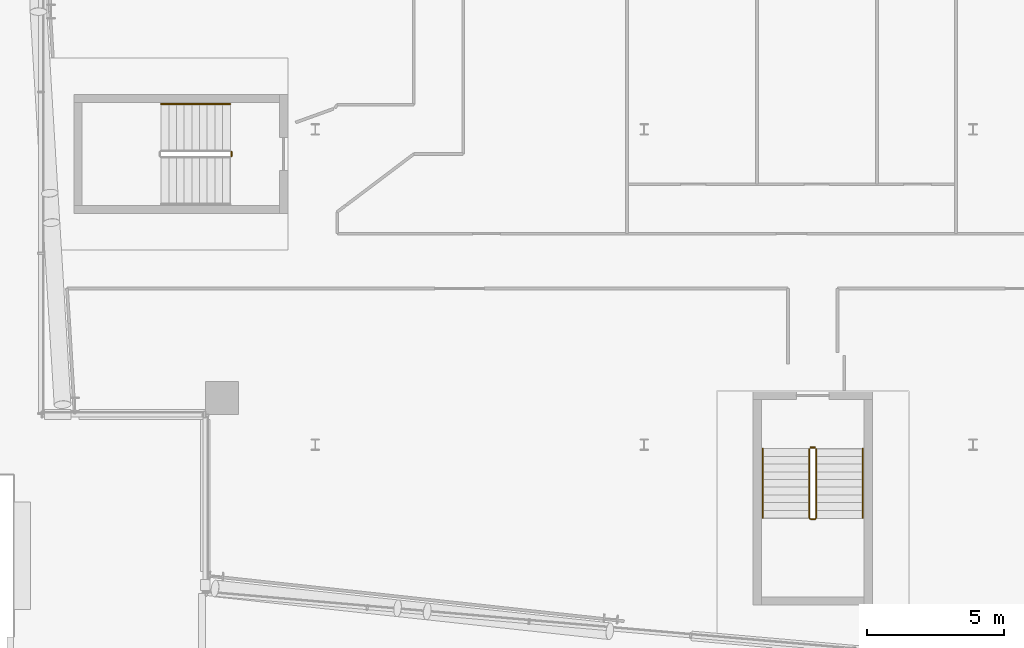
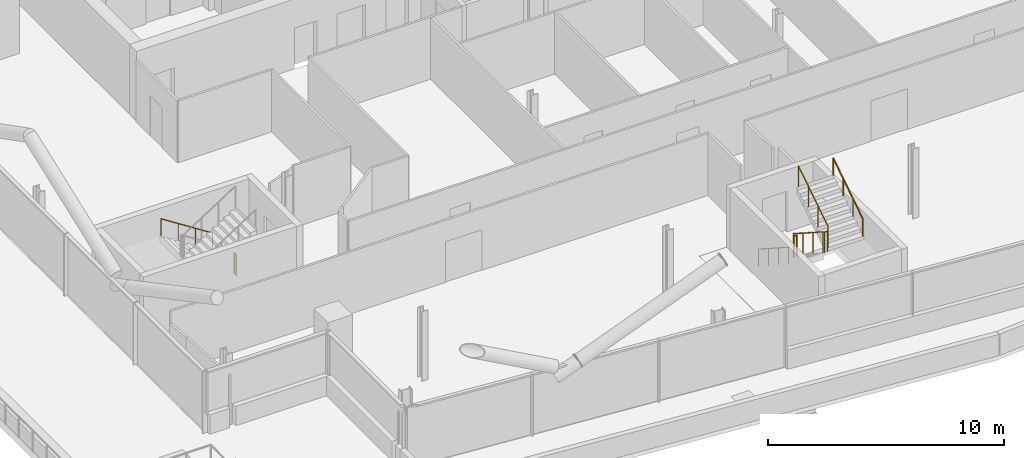
# One storey, part 25 of 27: 6 railings.
"""IFC4 building model written with IfcOpenShell, lengths in metres."""

from ifc_helpers import new_model, si_unit, direction, frame, origin, origin_2d, place, context, subcontext, project, spatial, circle, extrude, material, type_object, element, save


model = new_model("IFC4")

# Units and contexts
model_context = context("Model", 3, precision=1e-05, world=origin(), true_north=direction((0.0, 1.0)))
body_context = subcontext(model_context, "Body", "Model", "MODEL_VIEW")
ifc_project = project(units=[si_unit("LENGTHUNIT", "METRE"), si_unit("AREAUNIT", "SQUARE_METRE"), si_unit("VOLUMEUNIT", "CUBIC_METRE"), si_unit("PLANEANGLEUNIT", "RADIAN"), si_unit("MASSUNIT", "GRAM", prefix="KILO")], contexts=[model_context])

# Site, building, storey
site_placement = place(None, origin())
site = spatial("IfcSite", under=ifc_project, at=site_placement, CompositionType="ELEMENT")
building_placement = place(site_placement, origin())
building = spatial("IfcBuilding", under=site, at=building_placement, Name="Wharfspan Tower", CompositionType="ELEMENT")
storey_placement = place(building_placement, frame((0.0, 0.0, 207.100098)))
storey = spatial("IfcBuildingStorey", under=building, at=storey_placement, Name="L51", CompositionType="ELEMENT", Elevation=207.100098)

# Railings
ifc_material = material(Name="Steel S355J2", Category="steel")
railing_type_1 = type_object("IfcRailingType", Name="Stair guard 1100", PredefinedType="GUARDRAIL", material=ifc_material)
railing_1_placement = place(storey_placement, frame((20.949951, 22.175049, 0.0)))
element("IfcRailing", 1, at=railing_1_placement, inside=storey, type_object=railing_type_1, Name="L51 ST3 stair guard 2", PredefinedType="GUARDRAIL", context=body_context, shape_type="SweptSolid", body=[
    extrude(circle(Radius=0.023926, at=origin_2d()), frame((0.0, 0.0, 1.076172), z_axis=(0.0, -1.0, 0.0), x_axis=(1.0, 0.0, 0.0)), (0.0, 0.0, 1.0), 0.150146),
    extrude(circle(Radius=0.020996, at=origin_2d()), origin(), (0.0, 0.0, 1.0), 1.052002),
    extrude(circle(Radius=0.020996, at=origin_2d()), frame((0.0, -0.150146, 0.0)), (0.0, 0.0, 1.0), 1.052002),
])
railing_2_placement = place(storey_placement, frame((42.0271, 11.343262, 0.179932)))
element("IfcRailing", 2, at=railing_2_placement, inside=storey, type_object=railing_type_1, Name="L51 ST4 stair guard 1", PredefinedType="GUARDRAIL", context=body_context, shape_type="SweptSolid", body=[
    extrude(circle(Radius=0.023926, at=origin_2d()), frame((0.0, 0.0, 1.076172), z_axis=(0.0, -0.8412, 0.540725), x_axis=(1.0, 0.0, 0.0)), (0.0, 0.0, 1.0), 2.99585),
    extrude(circle(Radius=0.023926, at=origin_2d()), frame((0.0, -2.52002, 2.695801), z_axis=(0.707107, -0.707107, 0.0), x_axis=(0.707107, 0.707107, 0.0)), (0.0, 0.0, 1.0), 0.070801),
    extrude(circle(Radius=0.023926, at=origin_2d()), frame((0.050049, -2.570068, 2.695801), z_axis=(1.0, 0.0, 0.0), x_axis=(0.0, 1.0, 0.0)), (0.0, 0.0, 1.0), 0.149902),
    extrude(circle(Radius=0.023926, at=origin_2d()), frame((0.199951, -2.570068, 2.695801), z_axis=(0.258544, 0.258544, 0.930758), x_axis=(-0.707107, 0.707107, 0.0)), (0.0, 0.0, 1.0), 0.193604),
    extrude(circle(Radius=0.023926, at=origin_2d()), frame((0.25, -2.52002, 2.875977), z_axis=(0.0, 0.8412, 0.540725), x_axis=(-1.0, 0.0, 0.0)), (0.0, 0.0, 1.0), 2.99585),
    extrude(circle(Radius=0.020996, at=origin_2d()), origin(), (0.0, 0.0, 1.0), 1.052002),
    extrude(circle(Radius=0.020996, at=origin_2d()), frame((0.0, -0.840088, 0.540039)), (0.0, 0.0, 1.0), 1.052002),
    extrude(circle(Radius=0.020996, at=origin_2d()), frame((0.0, -1.679932, 1.079834)), (0.0, 0.0, 1.0), 1.052002),
    extrude(circle(Radius=0.020996, at=origin_2d()), frame((0.0, -2.52002, 1.619873)), (0.0, 0.0, 1.0), 1.052002),
    extrude(circle(Radius=0.020996, at=origin_2d()), frame((0.050049, -2.570068, 1.619873)), (0.0, 0.0, 1.0), 1.052002),
    extrude(circle(Radius=0.020996, at=origin_2d()), frame((0.199951, -2.570068, 1.619873)), (0.0, 0.0, 1.0), 1.052002),
    extrude(circle(Radius=0.020996, at=origin_2d()), frame((0.25, -2.52002, 1.800049)), (0.0, 0.0, 1.0), 1.052002),
    extrude(circle(Radius=0.020996, at=origin_2d()), frame((0.25, -1.679932, 2.340088)), (0.0, 0.0, 1.0), 1.052002),
    extrude(circle(Radius=0.020996, at=origin_2d()), frame((0.25, -0.840088, 2.879883)), (0.0, 0.0, 1.0), 1.052002),
    extrude(circle(Radius=0.020996, at=origin_2d()), frame((0.25, 0.0, 3.419922)), (0.0, 0.0, 1.0), 1.052002),
])
railing_3_placement = place(storey_placement, frame((42.077148, 11.393311, 0.0)))
element("IfcRailing", 3, at=railing_3_placement, inside=storey, type_object=railing_type_1, Name="L51 ST4 stair guard 2", PredefinedType="GUARDRAIL", context=body_context, shape_type="SweptSolid", body=[
    extrude(circle(Radius=0.023926, at=origin_2d()), frame((0.0, 0.0, 1.076172), z_axis=(1.0, 0.0, 0.0), x_axis=(0.0, 1.0, 0.0)), (0.0, 0.0, 1.0), 0.149902),
    extrude(circle(Radius=0.020996, at=origin_2d()), origin(), (0.0, 0.0, 1.0), 1.052002),
    extrude(circle(Radius=0.020996, at=origin_2d()), frame((0.149902, 0.0, 0.0)), (0.0, 0.0, 1.0), 1.052002),
])
railing_type_2 = type_object("IfcRailingType", Name="Stair handrail 900", PredefinedType="HANDRAIL", material=ifc_material)
railing_4_placement = place(storey_placement, frame((20.899902, 23.925049, 0.179932)))
element("IfcRailing", 4, at=railing_4_placement, inside=storey, type_object=railing_type_2, Name="L51 ST3 stair handrail 1", PredefinedType="HANDRAIL", context=body_context, shape_type="SweptSolid", body=[
    extrude(circle(Radius=0.023926, at=origin_2d()), frame((0.0, 0.0, 0.875977), z_axis=(-0.8412, 0.0, 0.540725), x_axis=(0.0, -1.0, 0.0)), (0.0, 0.0, 1.0), 2.99585),
    extrude(circle(Radius=0.020996, at=origin_2d()), origin(), (0.0, 0.0, 1.0), 0.851807),
    extrude(circle(Radius=0.020996, at=origin_2d()), frame((-0.840088, 0.0, 0.540039)), (0.0, 0.0, 1.0), 0.851807),
    extrude(circle(Radius=0.020996, at=origin_2d()), frame((-1.679932, 0.0, 1.079834)), (0.0, 0.0, 1.0), 0.851807),
    extrude(circle(Radius=0.020996, at=origin_2d()), frame((-2.52002, 0.0, 1.619873)), (0.0, 0.0, 1.0), 0.851807),
])
railing_5_placement = place(storey_placement, frame((40.327148, 11.343262, 0.179932)))
element("IfcRailing", 5, at=railing_5_placement, inside=storey, type_object=railing_type_2, Name="L51 ST4 stair handrail 1", PredefinedType="HANDRAIL", context=body_context, shape_type="SweptSolid", body=[
    extrude(circle(Radius=0.023926, at=origin_2d()), frame((0.0, 0.0, 0.875977), z_axis=(0.0, -0.8412, 0.540725), x_axis=(1.0, 0.0, 0.0)), (0.0, 0.0, 1.0), 2.99585),
    extrude(circle(Radius=0.020996, at=origin_2d()), origin(), (0.0, 0.0, 1.0), 0.851807),
    extrude(circle(Radius=0.020996, at=origin_2d()), frame((0.0, -0.840088, 0.540039)), (0.0, 0.0, 1.0), 0.851807),
    extrude(circle(Radius=0.020996, at=origin_2d()), frame((0.0, -1.679932, 1.079834)), (0.0, 0.0, 1.0), 0.851807),
    extrude(circle(Radius=0.020996, at=origin_2d()), frame((0.0, -2.52002, 1.619873)), (0.0, 0.0, 1.0), 0.851807),
])
railing_6_placement = place(storey_placement, frame((43.977051, 8.823242, 1.97998)))
element("IfcRailing", 6, at=railing_6_placement, inside=storey, type_object=railing_type_2, Name="L51 ST4 stair handrail 2", PredefinedType="HANDRAIL", context=body_context, shape_type="SweptSolid", body=[
    extrude(circle(Radius=0.023926, at=origin_2d()), frame((0.0, 0.0, 0.875977), z_axis=(0.0, 0.8412, 0.540725), x_axis=(-1.0, 0.0, 0.0)), (0.0, 0.0, 1.0), 2.99585),
    extrude(circle(Radius=0.020996, at=origin_2d()), origin(), (0.0, 0.0, 1.0), 0.851807),
    extrude(circle(Radius=0.020996, at=origin_2d()), frame((0.0, 0.840088, 0.540039)), (0.0, 0.0, 1.0), 0.851807),
    extrude(circle(Radius=0.020996, at=origin_2d()), frame((0.0, 1.679932, 1.079834)), (0.0, 0.0, 1.0), 0.851807),
    extrude(circle(Radius=0.020996, at=origin_2d()), frame((0.0, 2.52002, 1.619873)), (0.0, 0.0, 1.0), 0.851807),
])

save(model, "model.ifc")
